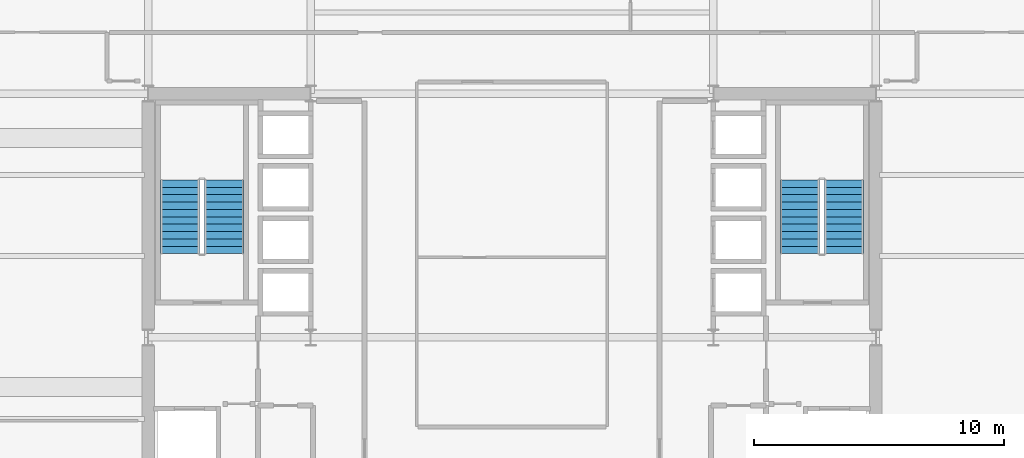
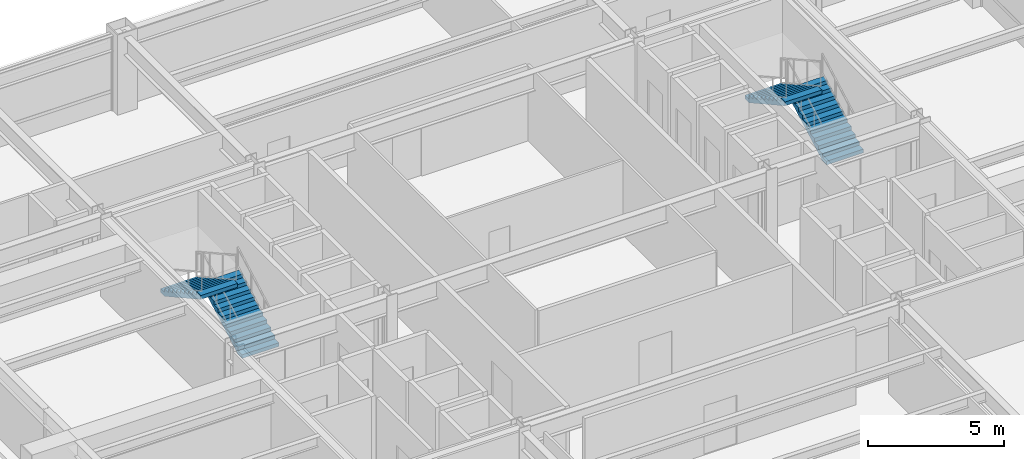
# One storey, part 27 of 28: 4 stair flights, 2 elements without a shape of their own.
"""IFC4 building model written with IfcOpenShell, lengths in metres."""

from ifc_helpers import new_model, si_unit, direction, frame, origin, place, context, subcontext, project, spatial, polyline, outline, extrude, material, type_object, element, aggregate, save


model = new_model("IFC4")

# Units and contexts
model_context = context("Model", 3, precision=1e-05, world=origin(), true_north=direction((0.0, 1.0)))
body_context = subcontext(model_context, "Body", "Model", "MODEL_VIEW")
ifc_project = project(units=[si_unit("LENGTHUNIT", "METRE"), si_unit("AREAUNIT", "SQUARE_METRE"), si_unit("VOLUMEUNIT", "CUBIC_METRE"), si_unit("PLANEANGLEUNIT", "RADIAN"), si_unit("MASSUNIT", "GRAM", prefix="KILO")], contexts=[model_context])

# Site, building, storey
site_placement = place(None, origin())
site = spatial("IfcSite", under=ifc_project, at=site_placement, CompositionType="ELEMENT")
building_placement = place(site_placement, origin())
building = spatial("IfcBuilding", under=site, at=building_placement, Name="Brelmoor Portico Tower", CompositionType="ELEMENT")
storey_placement = place(building_placement, frame((0.0, 0.0, 91.800048828125)))
storey = spatial("IfcBuildingStorey", under=building, at=storey_placement, Name="L23", CompositionType="ELEMENT", Elevation=91.800048828125)

# Stair, stair flights
ifc_material = material(Name="Concrete C40", Category="concrete")
stair_type_1 = type_object("IfcStairType", Name="ST-CORE-W", PredefinedType="HALF_TURN_STAIR", material=ifc_material)
stair_1_placement = place(storey_placement, origin())
stair_1 = element("IfcStair", 1, at=stair_1_placement, inside=storey, type_object=stair_type_1, Name="L23 Protected Core Exit Stair ST-W", PredefinedType="HALF_TURN_STAIR")
stair_flight_type = type_object("IfcStairFlightType", Name="SF-CORE-1850", PredefinedType="STRAIGHT", material=ifc_material)
stair_flight_1_placement = place(storey_placement, frame((-11.510009765625, 3.35009765625, 0.0), z_axis=(0.0, 0.0, 1.0), x_axis=(0.0, 1.0, 0.0)))
stair_flight_1 = element("IfcStairFlight", 2, at=stair_flight_1_placement, type_object=stair_flight_type, Name="ST-W flight 1", NumberOfRisers=11, NumberOfTreads=10, PredefinedType="STRAIGHT", RiserHeight=0.163636364, TreadLength=0.295, context=body_context, shape_type="SweptSolid", body=[
    extrude(outline(polyline([(0.0, 0.0), (0.0, 0.16357421875), (0.294921875, 0.16357421875), (0.294921875, 0.327392578125), (0.590087890625, 0.327392578125), (0.590087890625, 0.490966796875), (0.885009765625, 0.490966796875), (0.885009765625, 0.654541015625), (1.179931640625, 0.654541015625), (1.179931640625, 0.818115234375), (1.47509765625, 0.818115234375), (1.47509765625, 0.98193359375), (1.77001953125, 0.98193359375), (1.77001953125, 1.1455078125), (2.06494140625, 1.1455078125), (2.06494140625, 1.30908203125), (2.360107421875, 1.30908203125), (2.360107421875, 1.47265625), (2.655029296875, 1.47265625), (2.655029296875, 1.636474609375), (2.949951171875, 1.636474609375), (2.949951171875, 1.800048828125), (2.949951171875, 1.46484375), (0.30908203125, 0.0), (0.0, 0.0)])), frame((0.0, 0.780029296875, 0.0), z_axis=(0.0, -1.0, 0.0), x_axis=(1.0, 0.0, 0.0)), (0.0, 0.0, 1.0), 1.56005859375),
])
stair_flight_2_placement = place(storey_placement, frame((-13.27001953125, 6.300048828125, 1.800048828125), z_axis=(0.0, 0.0, 1.0), x_axis=(0.0, -1.0, 0.0)))
stair_flight_2 = element("IfcStairFlight", 3, at=stair_flight_2_placement, type_object=stair_flight_type, Name="ST-W flight 2", NumberOfRisers=11, NumberOfTreads=10, PredefinedType="STRAIGHT", RiserHeight=0.163636364, TreadLength=0.295, context=body_context, shape_type="SweptSolid", body=[
    extrude(outline(polyline([(0.0, 0.0), (0.0, 0.16357421875), (0.294921875, 0.16357421875), (0.294921875, 0.327392578125), (0.590087890625, 0.327392578125), (0.590087890625, 0.490966796875), (0.885009765625, 0.490966796875), (0.885009765625, 0.654541015625), (1.179931640625, 0.654541015625), (1.179931640625, 0.818115234375), (1.47509765625, 0.818115234375), (1.47509765625, 0.98193359375), (1.77001953125, 0.98193359375), (1.77001953125, 1.1455078125), (2.06494140625, 1.1455078125), (2.06494140625, 1.30908203125), (2.360107421875, 1.30908203125), (2.360107421875, 1.47265625), (2.655029296875, 1.47265625), (2.655029296875, 1.636474609375), (2.949951171875, 1.636474609375), (2.949951171875, 1.800048828125), (2.949951171875, 1.46484375), (0.30908203125, 0.0), (0.0, 0.0)])), frame((0.0, 0.780029296875, 0.0), z_axis=(0.0, -1.0, 0.0), x_axis=(1.0, 0.0, 0.0)), (0.0, 0.0, 1.0), 1.56005859375),
])
aggregate(stair_1, [stair_flight_1, stair_flight_2])

stair_type_2 = type_object("IfcStairType", Name="ST-CORE-E", PredefinedType="HALF_TURN_STAIR", material=ifc_material)
stair_2_placement = place(storey_placement, origin())
stair_2 = element("IfcStair", 4, at=stair_2_placement, inside=storey, type_object=stair_type_2, Name="L23 Protected Core Exit Stair ST-E", PredefinedType="HALF_TURN_STAIR")
stair_flight_3_placement = place(storey_placement, frame((13.27001953125, 3.35009765625, 0.0), z_axis=(0.0, 0.0, 1.0), x_axis=(0.0, 1.0, 0.0)))
stair_flight_3 = element("IfcStairFlight", 5, at=stair_flight_3_placement, type_object=stair_flight_type, Name="ST-E flight 1", NumberOfRisers=11, NumberOfTreads=10, PredefinedType="STRAIGHT", RiserHeight=0.163636364, TreadLength=0.295, context=body_context, shape_type="SweptSolid", body=[
    extrude(outline(polyline([(0.0, 0.0), (0.0, 0.16357421875), (0.294921875, 0.16357421875), (0.294921875, 0.327392578125), (0.590087890625, 0.327392578125), (0.590087890625, 0.490966796875), (0.885009765625, 0.490966796875), (0.885009765625, 0.654541015625), (1.179931640625, 0.654541015625), (1.179931640625, 0.818115234375), (1.47509765625, 0.818115234375), (1.47509765625, 0.98193359375), (1.77001953125, 0.98193359375), (1.77001953125, 1.1455078125), (2.06494140625, 1.1455078125), (2.06494140625, 1.30908203125), (2.360107421875, 1.30908203125), (2.360107421875, 1.47265625), (2.655029296875, 1.47265625), (2.655029296875, 1.636474609375), (2.949951171875, 1.636474609375), (2.949951171875, 1.800048828125), (2.949951171875, 1.46484375), (0.30908203125, 0.0), (0.0, 0.0)])), frame((0.0, 0.780029296875, 0.0), z_axis=(0.0, -1.0, 0.0), x_axis=(1.0, 0.0, 0.0)), (0.0, 0.0, 1.0), 1.56005859375),
])
stair_flight_4_placement = place(storey_placement, frame((11.510009765625, 6.300048828125, 1.800048828125), z_axis=(0.0, 0.0, 1.0), x_axis=(0.0, -1.0, 0.0)))
stair_flight_4 = element("IfcStairFlight", 6, at=stair_flight_4_placement, type_object=stair_flight_type, Name="ST-E flight 2", NumberOfRisers=11, NumberOfTreads=10, PredefinedType="STRAIGHT", RiserHeight=0.163636364, TreadLength=0.295, context=body_context, shape_type="SweptSolid", body=[
    extrude(outline(polyline([(0.0, 0.0), (0.0, 0.16357421875), (0.294921875, 0.16357421875), (0.294921875, 0.327392578125), (0.590087890625, 0.327392578125), (0.590087890625, 0.490966796875), (0.885009765625, 0.490966796875), (0.885009765625, 0.654541015625), (1.179931640625, 0.654541015625), (1.179931640625, 0.818115234375), (1.47509765625, 0.818115234375), (1.47509765625, 0.98193359375), (1.77001953125, 0.98193359375), (1.77001953125, 1.1455078125), (2.06494140625, 1.1455078125), (2.06494140625, 1.30908203125), (2.360107421875, 1.30908203125), (2.360107421875, 1.47265625), (2.655029296875, 1.47265625), (2.655029296875, 1.636474609375), (2.949951171875, 1.636474609375), (2.949951171875, 1.800048828125), (2.949951171875, 1.46484375), (0.30908203125, 0.0), (0.0, 0.0)])), frame((0.0, 0.780029296875, 0.0), z_axis=(0.0, -1.0, 0.0), x_axis=(1.0, 0.0, 0.0)), (0.0, 0.0, 1.0), 1.56005859375),
])
aggregate(stair_2, [stair_flight_3, stair_flight_4])

save(model, "model.ifc")
